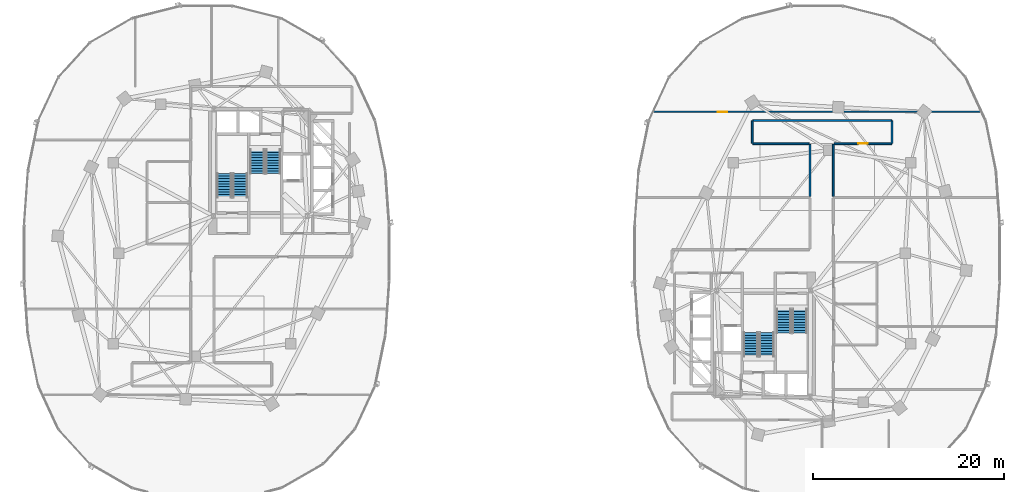
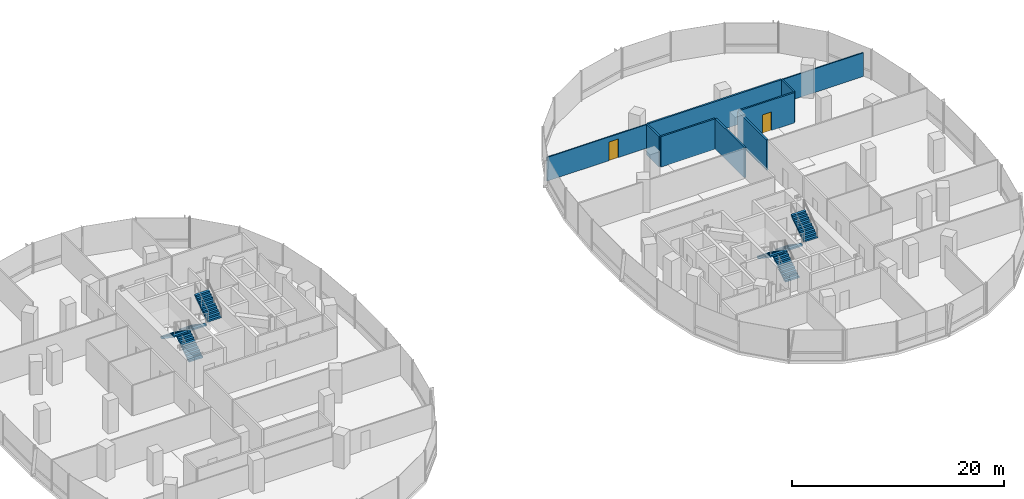
# One storey, part 14 of 21: 8 stair flights, 8 walls, 2 doors, 2 openings, 4 elements without a shape of their own.
"""IFC4 building model written with IfcOpenShell, lengths in metres."""

from ifc_helpers import new_model, si_unit, direction, frame, frame_2d, origin, place, context, subcontext, project, spatial, polyline, rectangle, outline, extrude, material, layer, layer_set, type_object, element, fill, aggregate, save


model = new_model("IFC4")

# Units and contexts
model_context = context("Model", 3, precision=1e-05, world=origin(), true_north=direction((0.0, 1.0)))
body_context = subcontext(model_context, "Body", "Model", "MODEL_VIEW")
ifc_project = project(units=[si_unit("LENGTHUNIT", "METRE"), si_unit("AREAUNIT", "SQUARE_METRE"), si_unit("VOLUMEUNIT", "CUBIC_METRE"), si_unit("PLANEANGLEUNIT", "RADIAN"), si_unit("MASSUNIT", "GRAM", prefix="KILO"), si_unit("THERMODYNAMICTEMPERATUREUNIT", "KELVIN"), si_unit("POWERUNIT", "WATT")], contexts=[model_context])

# Site, building, storey
site_placement = place(None, origin())
site = spatial("IfcSite", under=ifc_project, at=site_placement, CompositionType="ELEMENT")
building_placement = place(site_placement, origin())
building = spatial("IfcBuilding", under=site, at=building_placement, Name="Cundina Bronze Exchange", CompositionType="ELEMENT")
storey_placement = place(building_placement, frame((0.0, 0.0, 58.199951171875)))
storey = spatial("IfcBuildingStorey", under=building, at=storey_placement, Name="L14", CompositionType="ELEMENT", Elevation=58.199951171875)

# Wall
ifc_material_1 = material(Name="Gypsum Fireboard Partition EI120")
ifc_layer_1 = layer(ifc_material_1, 0.179931640625, Name="Gypsum Fireboard Partition EI120")
ifc_layer_set_1 = layer_set([ifc_layer_1], Name="Gypsum Fireboard Partition EI120")
wall_type_1 = type_object("IfcWallType", Name="WL-COR-180", PredefinedType="PARTITIONING", material=ifc_layer_set_1)
wall_1_placement = place(storey_placement, frame((39.778564453125, 13.919921875, 0.0), z_axis=(0.0, 0.0, 1.0), x_axis=(-1.0, 0.0, 0.0)))
element("IfcWall", 1, at=wall_1_placement, inside=storey, type_object=wall_type_1, Name="L14 Interior Partition 071", PredefinedType="PARTITIONING", context=body_context, shape_type="SweptSolid", body=[
    extrude(rectangle(XDim=14.55712890625, YDim=0.179931640625, at=frame_2d((7.278564453125, 0.0))), origin(), (0.0, 0.0, 1.0), 3.5),
])

# Wall, opening, door
wall_2_placement = place(storey_placement, frame((33.75, 11.47998046875, 0.0), z_axis=(0.0, 0.0, 1.0), x_axis=(1.0, 0.0, 0.0)))
wall_2 = element("IfcWall", 2, at=wall_2_placement, inside=storey, type_object=wall_type_1, Name="L14 Interior Partition 072", PredefinedType="PARTITIONING", context=body_context, shape_type="SweptSolid", body=[
    extrude(rectangle(XDim=6.028564453125, YDim=0.179931640625, at=frame_2d((3.01416015625, 0.0))), origin(), (0.0, 0.0, 1.0), 3.5),
])
opening_1_placement = place(wall_2_placement, frame((2.514404296875, 0.0, 0.0)))
opening_1 = element("IfcOpeningElement", 3, at=opening_1_placement, cuts=wall_2, Name="Opening DO-01", PredefinedType="OPENING", context=body_context, shape_type="SweptSolid", body=[
    extrude(rectangle(XDim=1.0, YDim=2.14990234375, at=frame_2d((0.5, 1.074951171875))), frame((0.0, 0.099853515625, 0.0), z_axis=(0.0, -1.0, 0.0), x_axis=(1.0, 0.0, 0.0)), (0.0, 0.0, 1.0), 0.199951171875),
])
ifc_material_2 = material(Name="Solid Andean Oak Timber Grade A", Category="wood")
door_type = type_object("IfcDoorType", Name="DR-OFF-1000", OperationType="NOTDEFINED", PredefinedType="DOOR", material=ifc_material_2)
door_1_placement = place(opening_1_placement, origin())
door_1 = element("IfcDoor", 4, at=door_1_placement, inside=storey, type_object=door_type, Name="L14 Interior Door 072", OperationType="SINGLE_SWING_RIGHT", OverallHeight=2.14990234375, OverallWidth=1.0, PredefinedType="DOOR", context=body_context, shape_type="SweptSolid", body=[
    extrude(rectangle(XDim=1.0, YDim=2.14990234375, at=frame_2d((0.5, 1.074951171875))), frame((0.0, 0.02490234375, 0.0), z_axis=(0.0, -1.0, 0.0), x_axis=(1.0, 0.0, 0.0)), (0.0, 0.0, 1.0), 0.050048828125),
])
fill(opening_1, door_1)

# Walls
wall_3_placement = place(storey_placement, frame((25.221435546875, 11.47998046875, 0.0), z_axis=(0.0, 0.0, 1.0), x_axis=(1.0, 0.0, 0.0)))
element("IfcWall", 5, at=wall_3_placement, inside=storey, type_object=wall_type_1, Name="L14 Interior Partition 073", PredefinedType="PARTITIONING", context=body_context, shape_type="SweptSolid", body=[
    extrude(rectangle(XDim=5.928466796875, YDim=0.179931640625, at=frame_2d((2.96435546875, 0.0))), origin(), (0.0, 0.0, 1.0), 3.5),
])
for number, where, z_axis, x_axis, name in (
    (6, (33.669921875, 5.949951171875, 0.0), (0.0, 0.0, 1.0), (0.0, 1.0, 0.0), "L14 Interior Partition 074"),
    (7, (31.22998046875, 11.39990234375, 0.0), (0.0, 0.0, 1.0), (0.0, -1.0, 0.0), "L14 Interior Partition 075"),
):
    element("IfcWall", number, at=place(storey_placement, frame(where, z_axis=z_axis, x_axis=x_axis)), inside=storey, type_object=wall_type_1, Name=name, PredefinedType="PARTITIONING", context=body_context, shape_type="SweptSolid", body=[
        extrude(rectangle(XDim=5.449951171875, YDim=0.179931640625, at=frame_2d((2.72509765625, 0.0))), origin(), (0.0, 0.0, 1.0), 3.5),
    ])
for number, where, z_axis, x_axis, name in (
    (8, (39.820068359375, 11.521484375, 0.0), (0.0, 0.0, 1.0), (0.0, 1.0, 0.0), "L14 Interior Partition 076"),
    (9, (25.179931640625, 13.87841796875, 0.0), (0.0, 0.0, 1.0), (0.0, -1.0, 0.0), "L14 Interior Partition 077"),
):
    element("IfcWall", number, at=place(storey_placement, frame(where, z_axis=z_axis, x_axis=x_axis)), inside=storey, type_object=wall_type_1, Name=name, PredefinedType="PARTITIONING", context=body_context, shape_type="SweptSolid", body=[
        extrude(rectangle(XDim=2.35693359375, YDim=0.179931640625, at=frame_2d((1.178466796875, 0.0))), origin(), (0.0, 0.0, 1.0), 3.5),
    ])

# Wall, opening, door
ifc_material_3 = material(Name="Gypsum Acoustic Partition EI60")
ifc_layer_2 = layer(ifc_material_3, 0.125, Name="Gypsum Acoustic Partition EI60")
ifc_layer_set_2 = layer_set([ifc_layer_2], Name="Gypsum Acoustic Partition EI60")
wall_type_2 = type_object("IfcWallType", Name="WL-OFF-125", PredefinedType="PARTITIONING", material=ifc_layer_set_2)
wall_4_placement = place(storey_placement, frame((49.1953125, 14.820068359375, 0.0), z_axis=(0.0, 0.0, 1.0), x_axis=(-1.0, 0.0, 0.0)))
wall_4 = element("IfcWall", 10, at=wall_4_placement, inside=storey, type_object=wall_type_2, Name="L14 Interior Partition 078", PredefinedType="PARTITIONING", context=body_context, shape_type="SweptSolid", body=[
    extrude(rectangle(XDim=34.390625, YDim=0.125, at=frame_2d((17.1953125, 0.0))), origin(), (0.0, 0.0, 1.0), 2.72705078125),
])
opening_2_placement = place(wall_4_placement, frame((26.640625, 0.0, 0.0)))
opening_2 = element("IfcOpeningElement", 11, at=opening_2_placement, cuts=wall_4, Name="Opening DO-01", PredefinedType="OPENING", context=body_context, shape_type="SweptSolid", body=[
    extrude(rectangle(XDim=1.0, YDim=2.14990234375, at=frame_2d((0.5, 1.074951171875))), frame((0.0, 0.072509765625, 0.0), z_axis=(0.0, -1.0, 0.0), x_axis=(1.0, 0.0, 0.0)), (0.0, 0.0, 1.0), 0.14501953125),
])
door_2_placement = place(opening_2_placement, origin())
door_2 = element("IfcDoor", 12, at=door_2_placement, inside=storey, type_object=door_type, Name="L14 Interior Door 078", OperationType="SINGLE_SWING_LEFT", OverallHeight=2.14990234375, OverallWidth=1.0, PredefinedType="DOOR", context=body_context, shape_type="SweptSolid", body=[
    extrude(rectangle(XDim=1.0, YDim=2.14990234375, at=frame_2d((0.5, 1.074951171875))), frame((0.0, 0.02490234375, 0.0), z_axis=(0.0, -1.0, 0.0), x_axis=(1.0, 0.0, 0.0)), (0.0, 0.0, 1.0), 0.050048828125),
])
fill(opening_2, door_2)

# Stair, stair flights
ifc_material_4 = material(Name="Concrete C40/50", Category="concrete")
stair_type = type_object("IfcStairType", Name="STR-TRD-380", PredefinedType="HALF_TURN_STAIR", material=ifc_material_4)
stair_1_placement = place(storey_placement, origin())
stair_1 = element("IfcStair", 13, at=stair_1_placement, inside=storey, type_object=stair_type, Name="L14 Smokeproof Exit Stair W1", PredefinedType="HALF_TURN_STAIR")
stair_flight_type = type_object("IfcStairFlightType", Name="FLG-TRD-190", PredefinedType="STRAIGHT", material=ifc_material_4)
stair_flight_1_placement = place(storey_placement, frame((-28.489990234375, 5.85009765625, 0.0), z_axis=(0.0, 0.0, 1.0), x_axis=(0.0, 1.0, 0.0)))
stair_flight_1 = element("IfcStairFlight", 14, at=stair_flight_1_placement, type_object=stair_flight_type, Name="ST-W1 flight 1", NumberOfRisers=10, NumberOfTreads=9, PredefinedType="STRAIGHT", RiserHeight=0.19, TreadLength=0.28, context=body_context, shape_type="SweptSolid", body=[
    extrude(outline(polyline([(0.0, 0.0), (0.0, 0.18994140625), (0.280029296875, 0.18994140625), (0.280029296875, 0.3798828125), (0.56005859375, 0.3798828125), (0.56005859375, 0.570068359375), (0.840087890625, 0.570068359375), (0.840087890625, 0.760009765625), (1.1201171875, 0.760009765625), (1.1201171875, 0.949951171875), (1.39990234375, 0.949951171875), (1.39990234375, 1.139892578125), (1.679931640625, 1.139892578125), (1.679931640625, 1.330078125), (1.9599609375, 1.330078125), (1.9599609375, 1.52001953125), (2.239990234375, 1.52001953125), (2.239990234375, 1.7099609375), (2.52001953125, 1.7099609375), (2.52001953125, 1.89990234375), (2.52001953125, 1.52880859375), (0.266845703125, 0.0), (0.0, 0.0)])), frame((0.0, 0.75, 0.0), z_axis=(0.0, -1.0, 0.0), x_axis=(1.0, 0.0, 0.0)), (0.0, 0.0, 1.0), 1.5),
])
stair_flight_2_placement = place(storey_placement, frame((-30.14990234375, 8.3701171875, 1.900146484375), z_axis=(0.0, 0.0, 1.0), x_axis=(0.0, -1.0, 0.0)))
stair_flight_2 = element("IfcStairFlight", 15, at=stair_flight_2_placement, type_object=stair_flight_type, Name="ST-W1 flight 2", NumberOfRisers=10, NumberOfTreads=9, PredefinedType="STRAIGHT", RiserHeight=0.19, TreadLength=0.28, context=body_context, shape_type="SweptSolid", body=[
    extrude(outline(polyline([(0.0, 0.0), (0.0, 0.18994140625), (0.280029296875, 0.18994140625), (0.280029296875, 0.3798828125), (0.56005859375, 0.3798828125), (0.56005859375, 0.570068359375), (0.840087890625, 0.570068359375), (0.840087890625, 0.760009765625), (1.1201171875, 0.760009765625), (1.1201171875, 0.949951171875), (1.39990234375, 0.949951171875), (1.39990234375, 1.139892578125), (1.679931640625, 1.139892578125), (1.679931640625, 1.330078125), (1.9599609375, 1.330078125), (1.9599609375, 1.52001953125), (2.239990234375, 1.52001953125), (2.239990234375, 1.7099609375), (2.52001953125, 1.7099609375), (2.52001953125, 1.89990234375), (2.52001953125, 1.52880859375), (0.266845703125, 0.0), (0.0, 0.0)])), frame((0.0, 0.75, 0.0), z_axis=(0.0, -1.0, 0.0), x_axis=(1.0, 0.0, 0.0)), (0.0, 0.0, 1.0), 1.5),
])
aggregate(stair_1, [stair_flight_1, stair_flight_2])

stair_2_placement = place(storey_placement, origin())
stair_2 = element("IfcStair", 16, at=stair_2_placement, inside=storey, type_object=stair_type, Name="L14 Smokeproof Exit Stair W2", PredefinedType="HALF_TURN_STAIR")
stair_flight_3_placement = place(storey_placement, frame((-26.68994140625, 10.85009765625, 0.0), z_axis=(0.0, 0.0, 1.0), x_axis=(0.0, -1.0, 0.0)))
stair_flight_3 = element("IfcStairFlight", 17, at=stair_flight_3_placement, type_object=stair_flight_type, Name="ST-W2 flight 1", NumberOfRisers=10, NumberOfTreads=9, PredefinedType="STRAIGHT", RiserHeight=0.19, TreadLength=0.28, context=body_context, shape_type="SweptSolid", body=[
    extrude(outline(polyline([(0.0, 0.0), (0.0, 0.18994140625), (0.280029296875, 0.18994140625), (0.280029296875, 0.3798828125), (0.56005859375, 0.3798828125), (0.56005859375, 0.570068359375), (0.840087890625, 0.570068359375), (0.840087890625, 0.760009765625), (1.1201171875, 0.760009765625), (1.1201171875, 0.949951171875), (1.39990234375, 0.949951171875), (1.39990234375, 1.139892578125), (1.679931640625, 1.139892578125), (1.679931640625, 1.330078125), (1.9599609375, 1.330078125), (1.9599609375, 1.52001953125), (2.239990234375, 1.52001953125), (2.239990234375, 1.7099609375), (2.52001953125, 1.7099609375), (2.52001953125, 1.89990234375), (2.52001953125, 1.52880859375), (0.266845703125, 0.0), (0.0, 0.0)])), frame((0.0, 0.75, 0.0), z_axis=(0.0, -1.0, 0.0), x_axis=(1.0, 0.0, 0.0)), (0.0, 0.0, 1.0), 1.5),
])
stair_flight_4_placement = place(storey_placement, frame((-25.030029296875, 8.330078125, 1.900146484375), z_axis=(0.0, 0.0, 1.0), x_axis=(0.0, 1.0, 0.0)))
stair_flight_4 = element("IfcStairFlight", 18, at=stair_flight_4_placement, type_object=stair_flight_type, Name="ST-W2 flight 2", NumberOfRisers=10, NumberOfTreads=9, PredefinedType="STRAIGHT", RiserHeight=0.19, TreadLength=0.28, context=body_context, shape_type="SweptSolid", body=[
    extrude(outline(polyline([(0.0, 0.0), (0.0, 0.18994140625), (0.280029296875, 0.18994140625), (0.280029296875, 0.3798828125), (0.56005859375, 0.3798828125), (0.56005859375, 0.570068359375), (0.840087890625, 0.570068359375), (0.840087890625, 0.760009765625), (1.1201171875, 0.760009765625), (1.1201171875, 0.949951171875), (1.39990234375, 0.949951171875), (1.39990234375, 1.139892578125), (1.679931640625, 1.139892578125), (1.679931640625, 1.330078125), (1.9599609375, 1.330078125), (1.9599609375, 1.52001953125), (2.239990234375, 1.52001953125), (2.239990234375, 1.7099609375), (2.52001953125, 1.7099609375), (2.52001953125, 1.89990234375), (2.52001953125, 1.52880859375), (0.266845703125, 0.0), (0.0, 0.0)])), frame((0.0, 0.75, 0.0), z_axis=(0.0, -1.0, 0.0), x_axis=(1.0, 0.0, 0.0)), (0.0, 0.0, 1.0), 1.5),
])
aggregate(stair_2, [stair_flight_3, stair_flight_4])

stair_3_placement = place(storey_placement, origin())
stair_3 = element("IfcStair", 19, at=stair_3_placement, inside=storey, type_object=stair_type, Name="L14 Smokeproof Exit Stair E1", PredefinedType="HALF_TURN_STAIR")
stair_flight_5_placement = place(storey_placement, frame((28.489990234375, -5.85009765625, 0.0), z_axis=(0.0, 0.0, 1.0), x_axis=(0.0, -1.0, 0.0)))
stair_flight_5 = element("IfcStairFlight", 20, at=stair_flight_5_placement, type_object=stair_flight_type, Name="ST-E1 flight 1", NumberOfRisers=10, NumberOfTreads=9, PredefinedType="STRAIGHT", RiserHeight=0.19, TreadLength=0.28, context=body_context, shape_type="SweptSolid", body=[
    extrude(outline(polyline([(0.0, 0.0), (0.0, 0.18994140625), (0.280029296875, 0.18994140625), (0.280029296875, 0.3798828125), (0.56005859375, 0.3798828125), (0.56005859375, 0.570068359375), (0.840087890625, 0.570068359375), (0.840087890625, 0.760009765625), (1.1201171875, 0.760009765625), (1.1201171875, 0.949951171875), (1.39990234375, 0.949951171875), (1.39990234375, 1.139892578125), (1.679931640625, 1.139892578125), (1.679931640625, 1.330078125), (1.9599609375, 1.330078125), (1.9599609375, 1.52001953125), (2.239990234375, 1.52001953125), (2.239990234375, 1.7099609375), (2.52001953125, 1.7099609375), (2.52001953125, 1.89990234375), (2.52001953125, 1.52880859375), (0.266845703125, 0.0), (0.0, 0.0)])), frame((0.0, 0.75, 0.0), z_axis=(0.0, -1.0, 0.0), x_axis=(1.0, 0.0, 0.0)), (0.0, 0.0, 1.0), 1.5),
])
stair_flight_6_placement = place(storey_placement, frame((30.14990234375, -8.3701171875, 1.900146484375), z_axis=(0.0, 0.0, 1.0), x_axis=(0.0, 1.0, 0.0)))
stair_flight_6 = element("IfcStairFlight", 21, at=stair_flight_6_placement, type_object=stair_flight_type, Name="ST-E1 flight 2", NumberOfRisers=10, NumberOfTreads=9, PredefinedType="STRAIGHT", RiserHeight=0.19, TreadLength=0.28, context=body_context, shape_type="SweptSolid", body=[
    extrude(outline(polyline([(0.0, 0.0), (0.0, 0.18994140625), (0.280029296875, 0.18994140625), (0.280029296875, 0.3798828125), (0.56005859375, 0.3798828125), (0.56005859375, 0.570068359375), (0.840087890625, 0.570068359375), (0.840087890625, 0.760009765625), (1.1201171875, 0.760009765625), (1.1201171875, 0.949951171875), (1.39990234375, 0.949951171875), (1.39990234375, 1.139892578125), (1.679931640625, 1.139892578125), (1.679931640625, 1.330078125), (1.9599609375, 1.330078125), (1.9599609375, 1.52001953125), (2.239990234375, 1.52001953125), (2.239990234375, 1.7099609375), (2.52001953125, 1.7099609375), (2.52001953125, 1.89990234375), (2.52001953125, 1.52880859375), (0.266845703125, 0.0), (0.0, 0.0)])), frame((0.0, 0.75, 0.0), z_axis=(0.0, -1.0, 0.0), x_axis=(1.0, 0.0, 0.0)), (0.0, 0.0, 1.0), 1.5),
])
aggregate(stair_3, [stair_flight_5, stair_flight_6])

stair_4_placement = place(storey_placement, origin())
stair_4 = element("IfcStair", 22, at=stair_4_placement, inside=storey, type_object=stair_type, Name="L14 Smokeproof Exit Stair E2", PredefinedType="HALF_TURN_STAIR")
stair_flight_7_placement = place(storey_placement, frame((26.68994140625, -10.85009765625, 0.0), z_axis=(0.0, 0.0, 1.0), x_axis=(0.0, 1.0, 0.0)))
stair_flight_7 = element("IfcStairFlight", 23, at=stair_flight_7_placement, type_object=stair_flight_type, Name="ST-E2 flight 1", NumberOfRisers=10, NumberOfTreads=9, PredefinedType="STRAIGHT", RiserHeight=0.19, TreadLength=0.28, context=body_context, shape_type="SweptSolid", body=[
    extrude(outline(polyline([(0.0, 0.0), (0.0, 0.18994140625), (0.280029296875, 0.18994140625), (0.280029296875, 0.3798828125), (0.56005859375, 0.3798828125), (0.56005859375, 0.570068359375), (0.840087890625, 0.570068359375), (0.840087890625, 0.760009765625), (1.1201171875, 0.760009765625), (1.1201171875, 0.949951171875), (1.39990234375, 0.949951171875), (1.39990234375, 1.139892578125), (1.679931640625, 1.139892578125), (1.679931640625, 1.330078125), (1.9599609375, 1.330078125), (1.9599609375, 1.52001953125), (2.239990234375, 1.52001953125), (2.239990234375, 1.7099609375), (2.52001953125, 1.7099609375), (2.52001953125, 1.89990234375), (2.52001953125, 1.52880859375), (0.266845703125, 0.0), (0.0, 0.0)])), frame((0.0, 0.75, 0.0), z_axis=(0.0, -1.0, 0.0), x_axis=(1.0, 0.0, 0.0)), (0.0, 0.0, 1.0), 1.5),
])
stair_flight_8_placement = place(storey_placement, frame((25.030029296875, -8.330078125, 1.900146484375), z_axis=(0.0, 0.0, 1.0), x_axis=(0.0, -1.0, 0.0)))
stair_flight_8 = element("IfcStairFlight", 24, at=stair_flight_8_placement, type_object=stair_flight_type, Name="ST-E2 flight 2", NumberOfRisers=10, NumberOfTreads=9, PredefinedType="STRAIGHT", RiserHeight=0.19, TreadLength=0.28, context=body_context, shape_type="SweptSolid", body=[
    extrude(outline(polyline([(0.0, 0.0), (0.0, 0.18994140625), (0.280029296875, 0.18994140625), (0.280029296875, 0.3798828125), (0.56005859375, 0.3798828125), (0.56005859375, 0.570068359375), (0.840087890625, 0.570068359375), (0.840087890625, 0.760009765625), (1.1201171875, 0.760009765625), (1.1201171875, 0.949951171875), (1.39990234375, 0.949951171875), (1.39990234375, 1.139892578125), (1.679931640625, 1.139892578125), (1.679931640625, 1.330078125), (1.9599609375, 1.330078125), (1.9599609375, 1.52001953125), (2.239990234375, 1.52001953125), (2.239990234375, 1.7099609375), (2.52001953125, 1.7099609375), (2.52001953125, 1.89990234375), (2.52001953125, 1.52880859375), (0.266845703125, 0.0), (0.0, 0.0)])), frame((0.0, 0.75, 0.0), z_axis=(0.0, -1.0, 0.0), x_axis=(1.0, 0.0, 0.0)), (0.0, 0.0, 1.0), 1.5),
])
aggregate(stair_4, [stair_flight_7, stair_flight_8])

save(model, "model.ifc")
